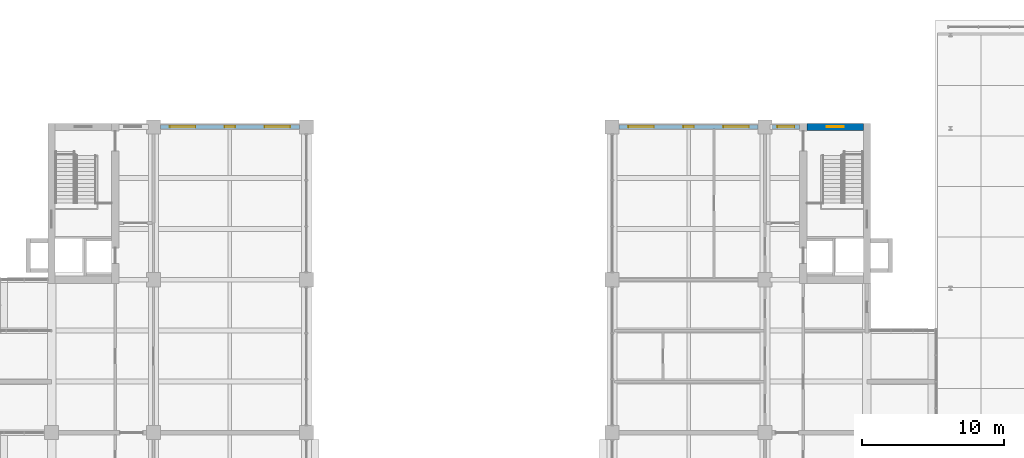
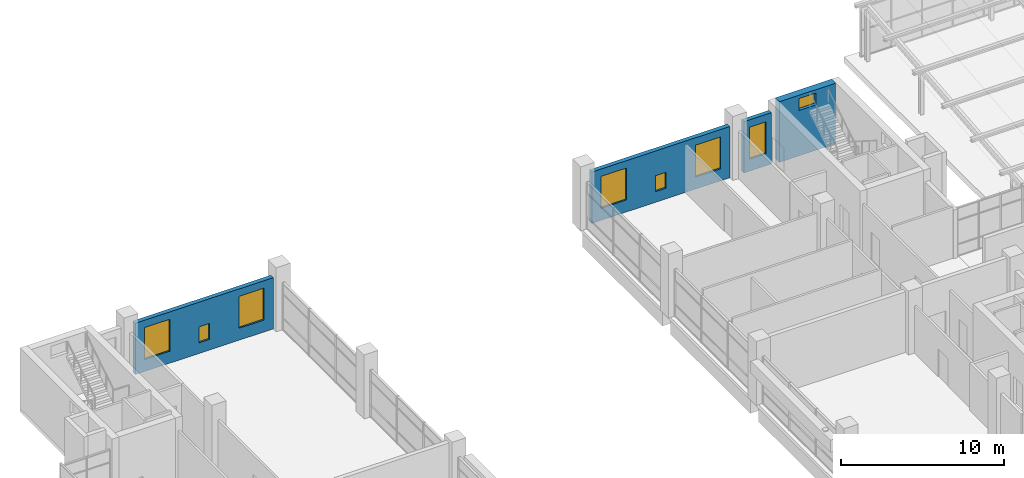
# One storey, part 41 of 44: 8 windows, 4 walls, 8 openings.
"""IFC4 building model written with IfcOpenShell, lengths in metres."""

from ifc_helpers import new_model, si_unit, direction, frame, frame_2d, origin, place, context, subcontext, project, spatial, rectangle, extrude, material, layer, layer_set, type_object, element, fill, save


model = new_model("IFC4")

# Units and contexts
model_context = context("Model", 3, precision=1e-05, world=origin(), true_north=direction((0.0, 1.0)))
body_context = subcontext(model_context, "Body", "Model", "MODEL_VIEW")
ifc_project = project(units=[si_unit("LENGTHUNIT", "METRE"), si_unit("AREAUNIT", "SQUARE_METRE"), si_unit("VOLUMEUNIT", "CUBIC_METRE"), si_unit("PLANEANGLEUNIT", "RADIAN"), si_unit("MASSUNIT", "GRAM", prefix="KILO")], contexts=[model_context])

# Site, building, storey
site_placement = place(None, origin())
site = spatial("IfcSite", under=ifc_project, at=site_placement, CompositionType="ELEMENT")
building_placement = place(site_placement, origin())
building = spatial("IfcBuilding", under=site, at=building_placement, Name="Basin Gate Institute", CompositionType="ELEMENT")
storey_placement = place(building_placement, frame((0.0, 0.0, 27.0)))
storey = spatial("IfcBuildingStorey", under=building, at=storey_placement, Name="L05", CompositionType="ELEMENT", Elevation=27.0)

# Wall, openings, windows
ifc_material_1 = material(Name="Aluminium-faced insulated panel wall", Category="aluminium")
ifc_layer_1 = layer(ifc_material_1, 0.300048828125)
ifc_layer_set_1 = layer_set([ifc_layer_1], Name="External wall EW1 EI 120")
wall_type_1 = type_object("IfcWallType", Name="External wall EW1 EI 120", PredefinedType="STANDARD", material=ifc_layer_set_1)
wall_1_placement = place(storey_placement, frame((68.89990234375, 99.89990234375, 0.0), z_axis=(0.0, 0.0, 1.0), x_axis=(1.0, 0.0, 0.0)))
wall_1 = element("IfcWall", 1, at=wall_1_placement, inside=storey, type_object=wall_type_1, material=ifc_layer_set_1, Name="External end wall W wing north L05 2", PredefinedType="STANDARD", context=body_context, shape_type="SweptSolid", body=[
    extrude(rectangle(XDim=9.800048828125, YDim=0.300048828125, at=frame_2d((4.89990234375, 0.0))), origin(), (0.0, 0.0, 1.0), 3.85009765625),
])
opening_1_placement = place(wall_1_placement, frame((0.64990234375, 0.0, 0.89990234375)))
opening_1 = element("IfcOpeningElement", 2, at=opening_1_placement, cuts=wall_1, Name="Opening WN1", PredefinedType="OPENING", context=body_context, shape_type="SweptSolid", body=[
    extrude(rectangle(XDim=1.800048828125, YDim=2.39990234375, at=frame_2d((0.89990234375, 1.199951171875))), frame((0.0, 0.16015625, 0.0), z_axis=(0.0, -1.0, 0.0), x_axis=(1.0, 0.0, 0.0)), (0.0, 0.0, 1.0), 0.320068359375),
])
opening_2_placement = place(wall_1_placement, frame((4.52490234375, 0.0, 0.800048828125)))
opening_2 = element("IfcOpeningElement", 3, at=opening_2_placement, cuts=wall_1, Name="Opening WN3", PredefinedType="OPENING", context=body_context, shape_type="SweptSolid", body=[
    extrude(rectangle(XDim=0.75, YDim=1.199951171875, at=frame_2d((0.375, 0.60009765625))), frame((0.0, 0.16015625, 0.0), z_axis=(0.0, -1.0, 0.0), x_axis=(1.0, 0.0, 0.0)), (0.0, 0.0, 1.0), 0.320068359375),
])
opening_3_placement = place(wall_1_placement, frame((7.35009765625, 0.0, 0.89990234375)))
opening_3 = element("IfcOpeningElement", 4, at=opening_3_placement, cuts=wall_1, Name="Opening WN1", PredefinedType="OPENING", context=body_context, shape_type="SweptSolid", body=[
    extrude(rectangle(XDim=1.800048828125, YDim=2.39990234375, at=frame_2d((0.89990234375, 1.199951171875))), frame((0.0, 0.16015625, 0.0), z_axis=(0.0, -1.0, 0.0), x_axis=(1.0, 0.0, 0.0)), (0.0, 0.0, 1.0), 0.320068359375),
])
ifc_material_2 = material(Name="Aluminium-framed double glazing", Category="aluminium")
window_type_1 = type_object("IfcWindowType", Name="Emergency entry panel WN3", PartitioningType="SINGLE_PANEL", PredefinedType="WINDOW", material=ifc_material_2)
window_1_placement = place(opening_2_placement, origin())
window_1 = element("IfcWindow", 5, at=window_1_placement, inside=storey, type_object=window_type_1, material=ifc_material_2, Name="Emergency entry panel W wing end N L05 bay 2", OverallHeight=1.199951171875, OverallWidth=0.75, PartitioningType="SINGLE_PANEL", PredefinedType="WINDOW", context=body_context, shape_type="SweptSolid", body=[
    extrude(rectangle(XDim=0.75, YDim=1.199951171875, at=frame_2d((0.375, 0.60009765625))), frame((0.0, 0.030029296875, 0.0), z_axis=(0.0, -1.0, 0.0), x_axis=(1.0, 0.0, 0.0)), (0.0, 0.0, 1.0), 0.06005859375),
])
fill(opening_2, window_1)
ifc_material_3 = material(Name="Aluminium-framed double glazing", Category="aluminium")
window_type_2 = type_object("IfcWindowType", Name="Facade window WN1", PartitioningType="SINGLE_PANEL", PredefinedType="WINDOW", material=ifc_material_3)
window_2_placement = place(opening_1_placement, origin())
window_2 = element("IfcWindow", 6, at=window_2_placement, inside=storey, type_object=window_type_2, material=ifc_material_3, Name="Facade window W wing end N L05 bay 1", OverallHeight=2.39990234375, OverallWidth=1.800048828125, PartitioningType="SINGLE_PANEL", PredefinedType="WINDOW", context=body_context, shape_type="SweptSolid", body=[
    extrude(rectangle(XDim=1.800048828125, YDim=2.39990234375, at=frame_2d((0.89990234375, 1.199951171875))), frame((0.0, 0.030029296875, 0.0), z_axis=(0.0, -1.0, 0.0), x_axis=(1.0, 0.0, 0.0)), (0.0, 0.0, 1.0), 0.06005859375),
])
fill(opening_1, window_2)
window_3_placement = place(opening_3_placement, origin())
window_3 = element("IfcWindow", 7, at=window_3_placement, inside=storey, type_object=window_type_2, material=ifc_material_3, Name="Facade window W wing end N L05 bay 3", OverallHeight=2.39990234375, OverallWidth=1.800048828125, PartitioningType="SINGLE_PANEL", PredefinedType="WINDOW", context=body_context, shape_type="SweptSolid", body=[
    extrude(rectangle(XDim=1.800048828125, YDim=2.39990234375, at=frame_2d((0.89990234375, 1.199951171875))), frame((0.0, 0.030029296875, 0.0), z_axis=(0.0, -1.0, 0.0), x_axis=(1.0, 0.0, 0.0)), (0.0, 0.0, 1.0), 0.06005859375),
])
fill(opening_3, window_3)

# Wall, opening, window
wall_2_placement = place(storey_placement, frame((114.050048828125, 99.89990234375, 0.0), z_axis=(0.0, 0.0, 1.0), x_axis=(-1.0, 0.0, 0.0)))
wall_2 = element("IfcWall", 8, at=wall_2_placement, inside=storey, type_object=wall_type_1, material=ifc_layer_set_1, Name="External end wall E wing north L05 1", PredefinedType="STANDARD", context=body_context, shape_type="SweptSolid", body=[
    extrude(rectangle(XDim=1.949951171875, YDim=0.300048828125, at=frame_2d((0.97509765625, 0.0))), origin(), (0.0, 0.0, 1.0), 3.85009765625),
])
opening_4_placement = place(wall_2_placement, frame((0.375, 0.0, 0.89990234375)))
opening_4 = element("IfcOpeningElement", 9, at=opening_4_placement, cuts=wall_2, Name="Opening WN4", PredefinedType="OPENING", context=body_context, shape_type="SweptSolid", body=[
    extrude(rectangle(XDim=1.199951171875, YDim=2.39990234375, at=frame_2d((0.60009765625, 1.199951171875))), frame((0.0, 0.16015625, 0.0), z_axis=(0.0, -1.0, 0.0), x_axis=(1.0, 0.0, 0.0)), (0.0, 0.0, 1.0), 0.320068359375),
])
ifc_material_4 = material(Name="Aluminium-framed double glazing", Category="aluminium")
window_type_3 = type_object("IfcWindowType", Name="Corridor end window WN4", PartitioningType="SINGLE_PANEL", PredefinedType="WINDOW", material=ifc_material_4)
window_4_placement = place(opening_4_placement, origin())
window_4 = element("IfcWindow", 10, at=window_4_placement, inside=storey, type_object=window_type_3, material=ifc_material_4, Name="Corridor end window E wing N L05", OverallHeight=2.39990234375, OverallWidth=1.199951171875, PartitioningType="SINGLE_PANEL", PredefinedType="WINDOW", context=body_context, shape_type="SweptSolid", body=[
    extrude(rectangle(XDim=1.199951171875, YDim=2.39990234375, at=frame_2d((0.60009765625, 1.199951171875))), frame((0.0, 0.030029296875, 0.0), z_axis=(0.0, -1.0, 0.0), x_axis=(1.0, 0.0, 0.0)), (0.0, 0.0, 1.0), 0.06005859375),
])
fill(opening_4, window_4)

# Wall, openings, windows
wall_3_placement = place(storey_placement, frame((111.10009765625, 99.89990234375, 0.0), z_axis=(0.0, 0.0, 1.0), x_axis=(-1.0, 0.0, 0.0)))
wall_3 = element("IfcWall", 11, at=wall_3_placement, inside=storey, type_object=wall_type_1, material=ifc_layer_set_1, Name="External end wall E wing north L05 2", PredefinedType="STANDARD", context=body_context, shape_type="SweptSolid", body=[
    extrude(rectangle(XDim=9.800048828125, YDim=0.300048828125, at=frame_2d((4.89990234375, 0.0))), origin(), (0.0, 0.0, 1.0), 3.85009765625),
])
opening_5_placement = place(wall_3_placement, frame((0.64990234375, 0.0, 0.89990234375)))
opening_5 = element("IfcOpeningElement", 12, at=opening_5_placement, cuts=wall_3, Name="Opening WN1", PredefinedType="OPENING", context=body_context, shape_type="SweptSolid", body=[
    extrude(rectangle(XDim=1.800048828125, YDim=2.39990234375, at=frame_2d((0.89990234375, 1.199951171875))), frame((0.0, 0.16015625, 0.0), z_axis=(0.0, -1.0, 0.0), x_axis=(1.0, 0.0, 0.0)), (0.0, 0.0, 1.0), 0.320068359375),
])
opening_6_placement = place(wall_3_placement, frame((4.52490234375, 0.0, 0.800048828125)))
opening_6 = element("IfcOpeningElement", 13, at=opening_6_placement, cuts=wall_3, Name="Opening WN3", PredefinedType="OPENING", context=body_context, shape_type="SweptSolid", body=[
    extrude(rectangle(XDim=0.75, YDim=1.199951171875, at=frame_2d((0.375, 0.60009765625))), frame((0.0, 0.16015625, 0.0), z_axis=(0.0, -1.0, 0.0), x_axis=(1.0, 0.0, 0.0)), (0.0, 0.0, 1.0), 0.320068359375),
])
opening_7_placement = place(wall_3_placement, frame((7.35009765625, 0.0, 0.89990234375)))
opening_7 = element("IfcOpeningElement", 14, at=opening_7_placement, cuts=wall_3, Name="Opening WN1", PredefinedType="OPENING", context=body_context, shape_type="SweptSolid", body=[
    extrude(rectangle(XDim=1.800048828125, YDim=2.39990234375, at=frame_2d((0.89990234375, 1.199951171875))), frame((0.0, 0.16015625, 0.0), z_axis=(0.0, -1.0, 0.0), x_axis=(1.0, 0.0, 0.0)), (0.0, 0.0, 1.0), 0.320068359375),
])
window_5_placement = place(opening_6_placement, origin())
window_5 = element("IfcWindow", 15, at=window_5_placement, inside=storey, type_object=window_type_1, material=ifc_material_2, Name="Emergency entry panel E wing end N L05 bay 2", OverallHeight=1.199951171875, OverallWidth=0.75, PartitioningType="SINGLE_PANEL", PredefinedType="WINDOW", context=body_context, shape_type="SweptSolid", body=[
    extrude(rectangle(XDim=0.75, YDim=1.199951171875, at=frame_2d((0.375, 0.60009765625))), frame((0.0, 0.030029296875, 0.0), z_axis=(0.0, -1.0, 0.0), x_axis=(1.0, 0.0, 0.0)), (0.0, 0.0, 1.0), 0.06005859375),
])
fill(opening_6, window_5)
window_6_placement = place(opening_5_placement, origin())
window_6 = element("IfcWindow", 16, at=window_6_placement, inside=storey, type_object=window_type_2, material=ifc_material_3, Name="Facade window E wing end N L05 bay 1", OverallHeight=2.39990234375, OverallWidth=1.800048828125, PartitioningType="SINGLE_PANEL", PredefinedType="WINDOW", context=body_context, shape_type="SweptSolid", body=[
    extrude(rectangle(XDim=1.800048828125, YDim=2.39990234375, at=frame_2d((0.89990234375, 1.199951171875))), frame((0.0, 0.030029296875, 0.0), z_axis=(0.0, -1.0, 0.0), x_axis=(1.0, 0.0, 0.0)), (0.0, 0.0, 1.0), 0.06005859375),
])
fill(opening_5, window_6)
window_7_placement = place(opening_7_placement, origin())
window_7 = element("IfcWindow", 17, at=window_7_placement, inside=storey, type_object=window_type_2, material=ifc_material_3, Name="Facade window E wing end N L05 bay 3", OverallHeight=2.39990234375, OverallWidth=1.800048828125, PartitioningType="SINGLE_PANEL", PredefinedType="WINDOW", context=body_context, shape_type="SweptSolid", body=[
    extrude(rectangle(XDim=1.800048828125, YDim=2.39990234375, at=frame_2d((0.89990234375, 1.199951171875))), frame((0.0, 0.030029296875, 0.0), z_axis=(0.0, -1.0, 0.0), x_axis=(1.0, 0.0, 0.0)), (0.0, 0.0, 1.0), 0.06005859375),
])
fill(opening_7, window_7)

# Wall, opening, window
ifc_material_5 = material(Name="Concrete 60 MPa", Category="concrete")
ifc_layer_2 = layer(ifc_material_5, 0.5)
ifc_layer_set_2 = layer_set([ifc_layer_2], Name="Concrete 60 MPa")
wall_type_2 = type_object("IfcWallType", Name="Wall SW1 R120", PredefinedType="SHEAR", material=ifc_layer_set_2)
wall_4_placement = place(storey_placement, frame((118.550048828125, 99.89990234375, 0.0), z_axis=(0.0, 0.0, 1.0), x_axis=(-1.0, 0.0, 0.0)))
wall_4 = element("IfcWall", 18, at=wall_4_placement, inside=storey, type_object=wall_type_2, material=ifc_layer_set_2, Name="WALL/L05/EN/N", PredefinedType="SHEAR", context=body_context, shape_type="SweptSolid", body=[
    extrude(rectangle(XDim=4.0, YDim=0.5, at=frame_2d((2.0, 0.0))), origin(), (0.0, 0.0, 1.0), 4.550048828125),
])
opening_8_placement = place(wall_4_placement, frame((1.39990234375, 0.0, 3.39990234375)))
opening_8 = element("IfcOpeningElement", 19, at=opening_8_placement, cuts=wall_4, Name="Opening WT2", PredefinedType="OPENING", context=body_context, shape_type="SweptSolid", body=[
    extrude(rectangle(XDim=1.199951171875, YDim=0.89990234375, at=frame_2d((0.60009765625, 0.449951171875))), frame((0.0, 0.260009765625, 0.0), z_axis=(0.0, -1.0, 0.0), x_axis=(1.0, 0.0, 0.0)), (0.0, 0.0, 1.0), 0.52001953125),
])
ifc_material_6 = material(Name="Fire-resistant glazing in steel-free frame", Category="steel")
window_type_4 = type_object("IfcWindowType", Name="Rated stair window EI 120 WT2", PartitioningType="SINGLE_PANEL", PredefinedType="WINDOW", material=ifc_material_6)
window_8_placement = place(opening_8_placement, origin())
window_8 = element("IfcWindow", 20, at=window_8_placement, inside=storey, type_object=window_type_4, material=ifc_material_6, Name="Rated stair window EI 120 EN end L05", OverallHeight=0.89990234375, OverallWidth=1.199951171875, PartitioningType="SINGLE_PANEL", PredefinedType="WINDOW", context=body_context, shape_type="SweptSolid", body=[
    extrude(rectangle(XDim=1.199951171875, YDim=0.89990234375, at=frame_2d((0.60009765625, 0.449951171875))), frame((0.0, 0.030029296875, 0.0), z_axis=(0.0, -1.0, 0.0), x_axis=(1.0, 0.0, 0.0)), (0.0, 0.0, 1.0), 0.06005859375),
])
fill(opening_8, window_8)

save(model, "model.ifc")
